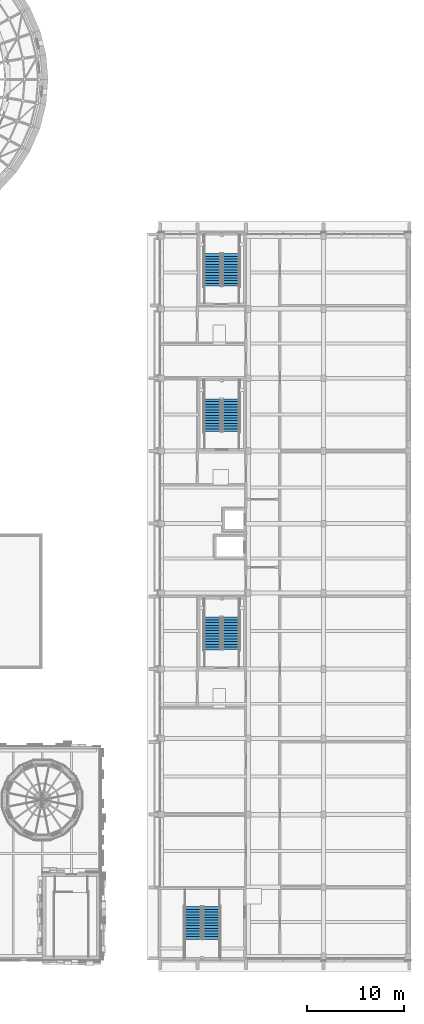
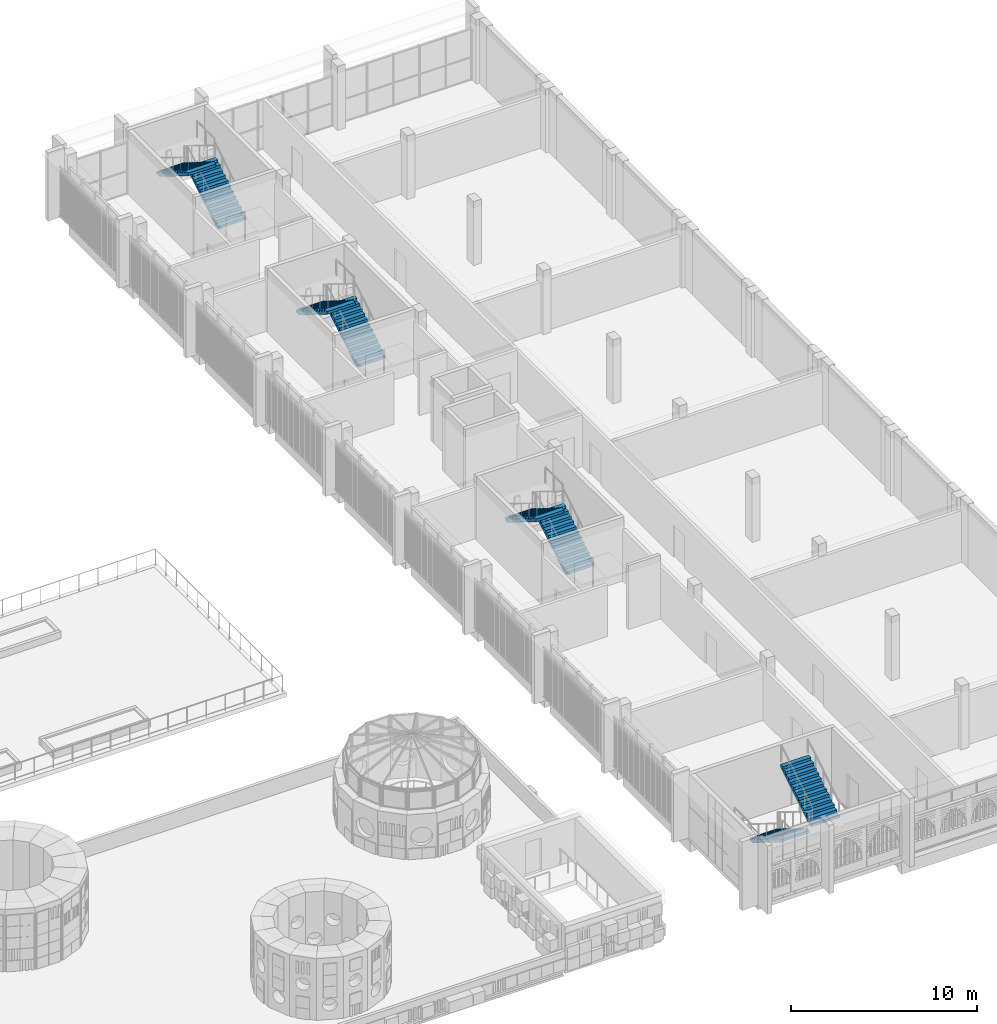
# One storey, part 59 of 98: 8 stair flights, 4 elements without a shape of their own.
"""IFC4 building model written with IfcOpenShell, lengths in metres."""

from ifc_helpers import new_model, si_unit, direction, frame, origin, place, context, subcontext, project, spatial, polyline, outline, extrude, material, type_object, element, aggregate, save


model = new_model("IFC4")

# Units and contexts
model_context = context("Model", 3, precision=1e-05, world=origin(), true_north=direction((0.0, 1.0)))
body_context = subcontext(model_context, "Body", "Model", "MODEL_VIEW")
ifc_project = project(units=[si_unit("LENGTHUNIT", "METRE"), si_unit("AREAUNIT", "SQUARE_METRE"), si_unit("VOLUMEUNIT", "CUBIC_METRE"), si_unit("PLANEANGLEUNIT", "RADIAN"), si_unit("MASSUNIT", "GRAM", prefix="KILO")], contexts=[model_context])

# Site, building, storey
site_placement = place(None, origin())
site = spatial("IfcSite", under=ifc_project, at=site_placement, CompositionType="ELEMENT")
building_placement = place(site_placement, origin())
building = spatial("IfcBuilding", under=site, at=building_placement, Name="Sun Court Science Centre", CompositionType="ELEMENT")
storey_placement = place(building_placement, frame((0.0, 0.0, 15.75)))
storey = spatial("IfcBuildingStorey", under=building, at=storey_placement, Name="L03", CompositionType="ELEMENT", Elevation=15.75)

# Stair, stair flights
ifc_material_1 = material(Name="Concrete C25/30", Category="concrete")
stair_type = type_object("IfcStairType", Name="Stair 1500 enclosed half-turn", PredefinedType="HALF_TURN_STAIR", material=ifc_material_1)
stair_1_placement = place(storey_placement, origin())
stair_1 = element("IfcStair", 1, at=stair_1_placement, inside=storey, type_object=stair_type, Name="L03 Stair SL1", PredefinedType="HALF_TURN_STAIR")
ifc_material_2 = material(Name="Concrete C25/30", Category="concrete")
stair_flight_type = type_object("IfcStairFlightType", Name="Stair flight 1500 with waist", PredefinedType="STRAIGHT", material=ifc_material_2)
stair_flight_1_placement = place(storey_placement, frame((81.551025390625, 11.501953125, 0.0), z_axis=(0.0, 0.0, 1.0), x_axis=(0.0, -1.0, 0.0)))
stair_flight_1 = element("IfcStairFlight", 2, at=stair_flight_1_placement, type_object=stair_flight_type, Name="SL1 flight 1", NumberOfRisers=13, NumberOfTreads=12, PredefinedType="STRAIGHT", RiserHeight=0.173076923, TreadLength=0.28, context=body_context, shape_type="SweptSolid", body=[
    extrude(outline(polyline([(0.0, 0.0), (0.0, 0.173095703125), (0.280029296875, 0.173095703125), (0.280029296875, 0.34619140625), (0.56005859375, 0.34619140625), (0.56005859375, 0.519287109375), (0.840087890625, 0.519287109375), (0.840087890625, 0.6923828125), (1.1201171875, 0.6923828125), (1.1201171875, 0.865478515625), (1.39990234375, 0.865478515625), (1.39990234375, 1.03857421875), (1.679931640625, 1.03857421875), (1.679931640625, 1.21142578125), (1.9599609375, 1.21142578125), (1.9599609375, 1.384521484375), (2.239990234375, 1.384521484375), (2.239990234375, 1.5576171875), (2.52001953125, 1.5576171875), (2.52001953125, 1.730712890625), (2.800048828125, 1.730712890625), (2.800048828125, 1.90380859375), (3.080078125, 1.90380859375), (3.080078125, 2.076904296875), (3.360107421875, 2.076904296875), (3.360107421875, 2.25), (3.360107421875, 1.900634765625), (0.28515625, 0.0), (0.0, 0.0)])), frame((0.0, 0.8740234375, 0.0), z_axis=(0.0, -1.0, 0.0), x_axis=(1.0, 0.0, 0.0)), (0.0, 0.0, 1.0), 1.748046875),
])
stair_flight_2_placement = place(storey_placement, frame((83.448974609375, 8.14208984375, 2.25), z_axis=(0.0, 0.0, 1.0), x_axis=(0.0, 1.0, 0.0)))
stair_flight_2 = element("IfcStairFlight", 3, at=stair_flight_2_placement, type_object=stair_flight_type, Name="SL1 flight 2", NumberOfRisers=13, NumberOfTreads=12, PredefinedType="STRAIGHT", RiserHeight=0.173076923, TreadLength=0.28, context=body_context, shape_type="SweptSolid", body=[
    extrude(outline(polyline([(0.0, 0.0), (0.0, 0.173095703125), (0.280029296875, 0.173095703125), (0.280029296875, 0.34619140625), (0.56005859375, 0.34619140625), (0.56005859375, 0.519287109375), (0.840087890625, 0.519287109375), (0.840087890625, 0.6923828125), (1.1201171875, 0.6923828125), (1.1201171875, 0.865478515625), (1.39990234375, 0.865478515625), (1.39990234375, 1.03857421875), (1.679931640625, 1.03857421875), (1.679931640625, 1.21142578125), (1.9599609375, 1.21142578125), (1.9599609375, 1.384521484375), (2.239990234375, 1.384521484375), (2.239990234375, 1.5576171875), (2.52001953125, 1.5576171875), (2.52001953125, 1.730712890625), (2.800048828125, 1.730712890625), (2.800048828125, 1.90380859375), (3.080078125, 1.90380859375), (3.080078125, 2.076904296875), (3.360107421875, 2.076904296875), (3.360107421875, 2.25), (3.360107421875, 1.900634765625), (0.28515625, 0.0), (0.0, 0.0)])), frame((0.0, 0.8740234375, 0.0), z_axis=(0.0, -1.0, 0.0), x_axis=(1.0, 0.0, 0.0)), (0.0, 0.0, 1.0), 1.748046875),
])
aggregate(stair_1, [stair_flight_1, stair_flight_2])

stair_2_placement = place(storey_placement, origin())
stair_2 = element("IfcStair", 4, at=stair_2_placement, inside=storey, type_object=stair_type, Name="L03 Stair SL2", PredefinedType="HALF_TURN_STAIR")
stair_flight_3_placement = place(storey_placement, frame((85.448974609375, 37.998046875, 0.0), z_axis=(0.0, 0.0, 1.0), x_axis=(0.0, 1.0, 0.0)))
stair_flight_3 = element("IfcStairFlight", 5, at=stair_flight_3_placement, type_object=stair_flight_type, Name="SL2 flight 1", NumberOfRisers=13, NumberOfTreads=12, PredefinedType="STRAIGHT", RiserHeight=0.173076923, TreadLength=0.28, context=body_context, shape_type="SweptSolid", body=[
    extrude(outline(polyline([(0.0, 0.0), (0.0, 0.173095703125), (0.280029296875, 0.173095703125), (0.280029296875, 0.34619140625), (0.56005859375, 0.34619140625), (0.56005859375, 0.519287109375), (0.840087890625, 0.519287109375), (0.840087890625, 0.6923828125), (1.1201171875, 0.6923828125), (1.1201171875, 0.865478515625), (1.39990234375, 0.865478515625), (1.39990234375, 1.03857421875), (1.679931640625, 1.03857421875), (1.679931640625, 1.21142578125), (1.9599609375, 1.21142578125), (1.9599609375, 1.384521484375), (2.239990234375, 1.384521484375), (2.239990234375, 1.5576171875), (2.52001953125, 1.5576171875), (2.52001953125, 1.730712890625), (2.800048828125, 1.730712890625), (2.800048828125, 1.90380859375), (3.080078125, 1.90380859375), (3.080078125, 2.076904296875), (3.360107421875, 2.076904296875), (3.360107421875, 2.25), (3.360107421875, 1.900634765625), (0.28515625, 0.0), (0.0, 0.0)])), frame((0.0, 0.8740234375, 0.0), z_axis=(0.0, -1.0, 0.0), x_axis=(1.0, 0.0, 0.0)), (0.0, 0.0, 1.0), 1.748046875),
])
stair_flight_4_placement = place(storey_placement, frame((83.551025390625, 41.35791015625, 2.25), z_axis=(0.0, 0.0, 1.0), x_axis=(0.0, -1.0, 0.0)))
stair_flight_4 = element("IfcStairFlight", 6, at=stair_flight_4_placement, type_object=stair_flight_type, Name="SL2 flight 2", NumberOfRisers=13, NumberOfTreads=12, PredefinedType="STRAIGHT", RiserHeight=0.173076923, TreadLength=0.28, context=body_context, shape_type="SweptSolid", body=[
    extrude(outline(polyline([(0.0, 0.0), (0.0, 0.173095703125), (0.280029296875, 0.173095703125), (0.280029296875, 0.34619140625), (0.56005859375, 0.34619140625), (0.56005859375, 0.519287109375), (0.840087890625, 0.519287109375), (0.840087890625, 0.6923828125), (1.1201171875, 0.6923828125), (1.1201171875, 0.865478515625), (1.39990234375, 0.865478515625), (1.39990234375, 1.03857421875), (1.679931640625, 1.03857421875), (1.679931640625, 1.21142578125), (1.9599609375, 1.21142578125), (1.9599609375, 1.384521484375), (2.239990234375, 1.384521484375), (2.239990234375, 1.5576171875), (2.52001953125, 1.5576171875), (2.52001953125, 1.730712890625), (2.800048828125, 1.730712890625), (2.800048828125, 1.90380859375), (3.080078125, 1.90380859375), (3.080078125, 2.076904296875), (3.360107421875, 2.076904296875), (3.360107421875, 2.25), (3.360107421875, 1.900634765625), (0.28515625, 0.0), (0.0, 0.0)])), frame((0.0, 0.8740234375, 0.0), z_axis=(0.0, -1.0, 0.0), x_axis=(1.0, 0.0, 0.0)), (0.0, 0.0, 1.0), 1.748046875),
])
aggregate(stair_2, [stair_flight_3, stair_flight_4])

stair_3_placement = place(storey_placement, origin())
stair_3 = element("IfcStair", 7, at=stair_3_placement, inside=storey, type_object=stair_type, Name="L03 Stair SL3", PredefinedType="HALF_TURN_STAIR")
stair_flight_5_placement = place(storey_placement, frame((85.448974609375, 60.498046875, 0.0), z_axis=(0.0, 0.0, 1.0), x_axis=(0.0, 1.0, 0.0)))
stair_flight_5 = element("IfcStairFlight", 8, at=stair_flight_5_placement, type_object=stair_flight_type, Name="SL3 flight 1", NumberOfRisers=13, NumberOfTreads=12, PredefinedType="STRAIGHT", RiserHeight=0.173076923, TreadLength=0.28, context=body_context, shape_type="SweptSolid", body=[
    extrude(outline(polyline([(0.0, 0.0), (0.0, 0.173095703125), (0.280029296875, 0.173095703125), (0.280029296875, 0.34619140625), (0.56005859375, 0.34619140625), (0.56005859375, 0.519287109375), (0.840087890625, 0.519287109375), (0.840087890625, 0.6923828125), (1.1201171875, 0.6923828125), (1.1201171875, 0.865478515625), (1.39990234375, 0.865478515625), (1.39990234375, 1.03857421875), (1.679931640625, 1.03857421875), (1.679931640625, 1.21142578125), (1.9599609375, 1.21142578125), (1.9599609375, 1.384521484375), (2.239990234375, 1.384521484375), (2.239990234375, 1.5576171875), (2.52001953125, 1.5576171875), (2.52001953125, 1.730712890625), (2.800048828125, 1.730712890625), (2.800048828125, 1.90380859375), (3.080078125, 1.90380859375), (3.080078125, 2.076904296875), (3.360107421875, 2.076904296875), (3.360107421875, 2.25), (3.360107421875, 1.900634765625), (0.28515625, 0.0), (0.0, 0.0)])), frame((0.0, 0.8740234375, 0.0), z_axis=(0.0, -1.0, 0.0), x_axis=(1.0, 0.0, 0.0)), (0.0, 0.0, 1.0), 1.748046875),
])
stair_flight_6_placement = place(storey_placement, frame((83.551025390625, 63.85791015625, 2.25), z_axis=(0.0, 0.0, 1.0), x_axis=(0.0, -1.0, 0.0)))
stair_flight_6 = element("IfcStairFlight", 9, at=stair_flight_6_placement, type_object=stair_flight_type, Name="SL3 flight 2", NumberOfRisers=13, NumberOfTreads=12, PredefinedType="STRAIGHT", RiserHeight=0.173076923, TreadLength=0.28, context=body_context, shape_type="SweptSolid", body=[
    extrude(outline(polyline([(0.0, 0.0), (0.0, 0.173095703125), (0.280029296875, 0.173095703125), (0.280029296875, 0.34619140625), (0.56005859375, 0.34619140625), (0.56005859375, 0.519287109375), (0.840087890625, 0.519287109375), (0.840087890625, 0.6923828125), (1.1201171875, 0.6923828125), (1.1201171875, 0.865478515625), (1.39990234375, 0.865478515625), (1.39990234375, 1.03857421875), (1.679931640625, 1.03857421875), (1.679931640625, 1.21142578125), (1.9599609375, 1.21142578125), (1.9599609375, 1.384521484375), (2.239990234375, 1.384521484375), (2.239990234375, 1.5576171875), (2.52001953125, 1.5576171875), (2.52001953125, 1.730712890625), (2.800048828125, 1.730712890625), (2.800048828125, 1.90380859375), (3.080078125, 1.90380859375), (3.080078125, 2.076904296875), (3.360107421875, 2.076904296875), (3.360107421875, 2.25), (3.360107421875, 1.900634765625), (0.28515625, 0.0), (0.0, 0.0)])), frame((0.0, 0.8740234375, 0.0), z_axis=(0.0, -1.0, 0.0), x_axis=(1.0, 0.0, 0.0)), (0.0, 0.0, 1.0), 1.748046875),
])
aggregate(stair_3, [stair_flight_5, stair_flight_6])

stair_4_placement = place(storey_placement, origin())
stair_4 = element("IfcStair", 10, at=stair_4_placement, inside=storey, type_object=stair_type, Name="L03 Stair SL4", PredefinedType="HALF_TURN_STAIR")
stair_flight_7_placement = place(storey_placement, frame((85.448974609375, 75.498046875, 0.0), z_axis=(0.0, 0.0, 1.0), x_axis=(0.0, 1.0, 0.0)))
stair_flight_7 = element("IfcStairFlight", 11, at=stair_flight_7_placement, type_object=stair_flight_type, Name="SL4 flight 1", NumberOfRisers=13, NumberOfTreads=12, PredefinedType="STRAIGHT", RiserHeight=0.173076923, TreadLength=0.28, context=body_context, shape_type="SweptSolid", body=[
    extrude(outline(polyline([(0.0, 0.0), (0.0, 0.173095703125), (0.280029296875, 0.173095703125), (0.280029296875, 0.34619140625), (0.56005859375, 0.34619140625), (0.56005859375, 0.519287109375), (0.840087890625, 0.519287109375), (0.840087890625, 0.6923828125), (1.1201171875, 0.6923828125), (1.1201171875, 0.865478515625), (1.39990234375, 0.865478515625), (1.39990234375, 1.03857421875), (1.679931640625, 1.03857421875), (1.679931640625, 1.21142578125), (1.9599609375, 1.21142578125), (1.9599609375, 1.384521484375), (2.239990234375, 1.384521484375), (2.239990234375, 1.5576171875), (2.52001953125, 1.5576171875), (2.52001953125, 1.730712890625), (2.800048828125, 1.730712890625), (2.800048828125, 1.90380859375), (3.080078125, 1.90380859375), (3.080078125, 2.076904296875), (3.360107421875, 2.076904296875), (3.360107421875, 2.25), (3.360107421875, 1.900634765625), (0.28515625, 0.0), (0.0, 0.0)])), frame((0.0, 0.8740234375, 0.0), z_axis=(0.0, -1.0, 0.0), x_axis=(1.0, 0.0, 0.0)), (0.0, 0.0, 1.0), 1.748046875),
])
stair_flight_8_placement = place(storey_placement, frame((83.551025390625, 78.85791015625, 2.25), z_axis=(0.0, 0.0, 1.0), x_axis=(0.0, -1.0, 0.0)))
stair_flight_8 = element("IfcStairFlight", 12, at=stair_flight_8_placement, type_object=stair_flight_type, Name="SL4 flight 2", NumberOfRisers=13, NumberOfTreads=12, PredefinedType="STRAIGHT", RiserHeight=0.173076923, TreadLength=0.28, context=body_context, shape_type="SweptSolid", body=[
    extrude(outline(polyline([(0.0, 0.0), (0.0, 0.173095703125), (0.280029296875, 0.173095703125), (0.280029296875, 0.34619140625), (0.56005859375, 0.34619140625), (0.56005859375, 0.519287109375), (0.840087890625, 0.519287109375), (0.840087890625, 0.6923828125), (1.1201171875, 0.6923828125), (1.1201171875, 0.865478515625), (1.39990234375, 0.865478515625), (1.39990234375, 1.03857421875), (1.679931640625, 1.03857421875), (1.679931640625, 1.21142578125), (1.9599609375, 1.21142578125), (1.9599609375, 1.384521484375), (2.239990234375, 1.384521484375), (2.239990234375, 1.5576171875), (2.52001953125, 1.5576171875), (2.52001953125, 1.730712890625), (2.800048828125, 1.730712890625), (2.800048828125, 1.90380859375), (3.080078125, 1.90380859375), (3.080078125, 2.076904296875), (3.360107421875, 2.076904296875), (3.360107421875, 2.25), (3.360107421875, 1.900634765625), (0.28515625, 0.0), (0.0, 0.0)])), frame((0.0, 0.8740234375, 0.0), z_axis=(0.0, -1.0, 0.0), x_axis=(1.0, 0.0, 0.0)), (0.0, 0.0, 1.0), 1.748046875),
])
aggregate(stair_4, [stair_flight_7, stair_flight_8])

save(model, "model.ifc")
